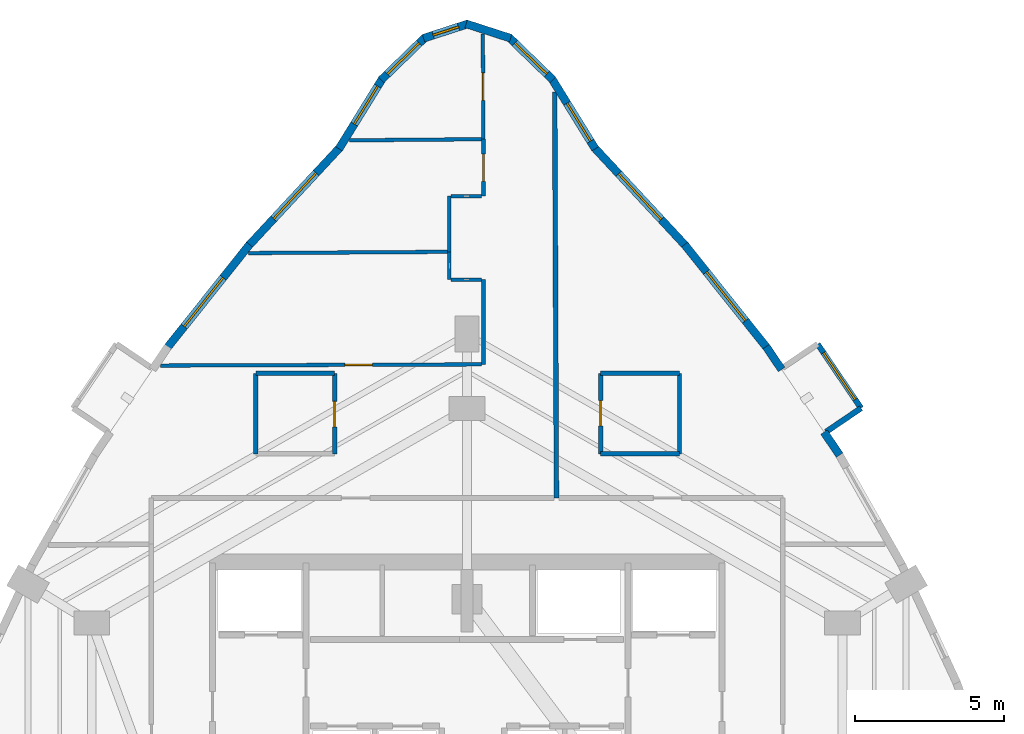
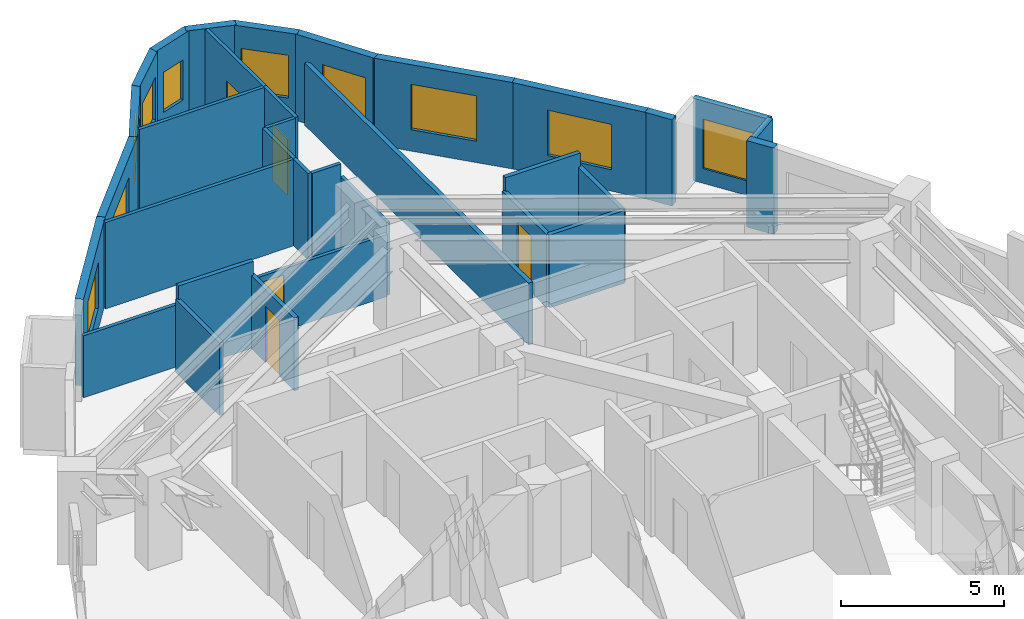
# One storey, part 9 of 11: 32 walls, 10 windows, 5 doors, 15 openings.
"""IFC4 building model written with IfcOpenShell, lengths in metres."""

from ifc_helpers import new_model, si_unit, direction, frame, frame_2d, origin, place, context, subcontext, project, spatial, rectangle, extrude, material, layer, layer_set, type_object, element, fill, save


model = new_model("IFC4")

# Units and contexts
model_context = context("Model", 3, precision=1e-05, world=origin(), true_north=direction((0.0, 1.0)))
body_context = subcontext(model_context, "Body", "Model", "MODEL_VIEW")
ifc_project = project(units=[si_unit("LENGTHUNIT", "METRE"), si_unit("AREAUNIT", "SQUARE_METRE"), si_unit("VOLUMEUNIT", "CUBIC_METRE"), si_unit("PLANEANGLEUNIT", "RADIAN"), si_unit("MASSUNIT", "GRAM", prefix="KILO")], contexts=[model_context])

# Site, building, storey
site_placement = place(None, origin())
site = spatial("IfcSite", under=ifc_project, at=site_placement, CompositionType="ELEMENT")
building_placement = place(site_placement, origin())
building = spatial("IfcBuilding", under=site, at=building_placement, Name="Miruveldt Soraemaru", CompositionType="ELEMENT")
storey_placement = place(building_placement, frame((0.0, 0.0, 152.89990234375)))
storey = spatial("IfcBuildingStorey", under=building, at=storey_placement, Name="L42", CompositionType="ELEMENT", Elevation=152.89990234375)

# Wall
ifc_material_1 = material(Name="White powder-coated aluminium EN AW-6060 T6", Category="aluminium")
ifc_layer_1 = layer(ifc_material_1, 0.18994140625, Name="White powder-coated aluminium EN AW-6060 T6", Category="aluminium")
ifc_layer_set_1 = layer_set([ifc_layer_1], Name="White powder-coated aluminium EN AW-6060 T6")
wall_type_1 = type_object("IfcWallType", Name="WALL-BAY-ALU190", PredefinedType="SOLIDWALL", material=ifc_layer_set_1)
wall_1_placement = place(storey_placement, frame((56.046875, 56.81591796875, 0.0), z_axis=(0.0, 0.0, 1.0), x_axis=(0.827995667279, 0.560734495966, 0.0)))
element("IfcWall", 1, at=wall_1_placement, inside=storey, type_object=wall_type_1, Name="L42 Bay Window Side Cheek 3L", PredefinedType="SOLIDWALL", context=body_context, shape_type="SweptSolid", body=[
    extrude(rectangle(XDim=1.425048828125, YDim=0.18994140625, at=frame_2d((0.71240234375, 0.0))), origin(), (0.0, 0.0, 1.0), 3.085205078125),
])

# Wall, opening, window
wall_2_placement = place(storey_placement, frame((57.226806640625, 57.614990234375, 0.0), z_axis=(0.0, 0.0, 1.0), x_axis=(-0.560860602504, 0.827910251512, 0.0)))
wall_2 = element("IfcWall", 2, at=wall_2_placement, inside=storey, type_object=wall_type_1, Name="L42 Bay Window Front Frame 3", PredefinedType="SOLIDWALL", context=body_context, shape_type="SweptSolid", body=[
    extrude(rectangle(XDim=2.60009765625, YDim=0.18994140625, at=frame_2d((1.300048828125, 0.0))), origin(), (0.0, 0.0, 1.0), 3.085205078125),
])
opening_1_placement = place(wall_2_placement, frame((0.35009765625, 0.0, 0.550048828125)))
opening_1 = element("IfcOpeningElement", 3, at=opening_1_placement, cuts=wall_2, Name="Opening WN-6", PredefinedType="OPENING", context=body_context, shape_type="SweptSolid", body=[
    extrude(rectangle(XDim=1.89990234375, YDim=1.85009765625, at=frame_2d((0.949951171875, 0.925048828125))), frame((0.0, 0.10498046875, 0.0), z_axis=(0.0, -1.0, 0.0), x_axis=(1.0, 0.0, 0.0)), (0.0, 0.0, 1.0), 0.2099609375),
])
ifc_material_2 = material(Name="Triple low-e insulated glazing", Category="glass")
window_type_1 = type_object("IfcWindowType", Name="WIN-BAYW-1900x1850", PartitioningType="SINGLE_PANEL", PredefinedType="WINDOW", material=ifc_material_2)
window_1_placement = place(opening_1_placement, origin())
window_1 = element("IfcWindow", 4, at=window_1_placement, inside=storey, type_object=window_type_1, Name="L42 Projecting Bay Window 3", OverallHeight=1.85009765625, OverallWidth=1.89990234375, PartitioningType="SINGLE_PANEL", PredefinedType="WINDOW", context=body_context, shape_type="SweptSolid", body=[
    extrude(rectangle(XDim=1.89990234375, YDim=1.85009765625, at=frame_2d((0.949951171875, 0.925048828125))), frame((0.0, 0.030029296875, 0.0), z_axis=(0.0, -1.0, 0.0), x_axis=(1.0, 0.0, 0.0)), (0.0, 0.0, 1.0), 0.06005859375),
])
fill(opening_1, window_1)

ifc_material_3 = material(Name="Precast concrete C45/55 (45 MPa)", Category="concrete")
ifc_layer_2 = layer(ifc_material_3, 0.27001953125, Name="Precast concrete C45/55 (45 MPa)", Category="concrete")
ifc_layer_set_2 = layer_set([ifc_layer_2], Name="Precast concrete C45/55 (45 MPa)")
wall_type_2 = type_object("IfcWallType", Name="WALL-EXT-PC270", PredefinedType="SOLIDWALL", material=ifc_layer_set_2)
wall_3_placement = place(storey_placement, frame((48.302490234375, 66.3212890625, 0.0), z_axis=(0.0, 0.0, 1.0), x_axis=(-0.526052747908, 0.850451942451, 0.0)))
wall_3 = element("IfcWall", 5, at=wall_3_placement, inside=storey, type_object=wall_type_2, Name="L42 Precast Concrete Facade Wall 1", PredefinedType="SOLIDWALL", context=body_context, shape_type="SweptSolid", body=[
    extrude(rectangle(XDim=2.78466796875, YDim=0.27001953125, at=frame_2d((1.392333984375, 0.0))), origin(), (0.0, 0.0, 1.0), 3.235107421875),
])
opening_2_placement = place(wall_3_placement, frame((0.302001953125, 0.0, 0.800048828125)))
opening_2 = element("IfcOpeningElement", 6, at=opening_2_placement, cuts=wall_3, Name="Opening WN-3", PredefinedType="OPENING", context=body_context, shape_type="SweptSolid", body=[
    extrude(rectangle(XDim=1.5, YDim=1.60009765625, at=frame_2d((0.75, 0.800048828125))), frame((0.0, 0.14501953125, 0.0), z_axis=(0.0, -1.0, 0.0), x_axis=(1.0, 0.0, 0.0)), (0.0, 0.0, 1.0), 0.2900390625),
])
window_type_2 = type_object("IfcWindowType", Name="WIN-PUNCH-1500x1600", PartitioningType="SINGLE_PANEL", PredefinedType="WINDOW", material=ifc_material_2)
window_2_placement = place(opening_2_placement, origin())
window_2 = element("IfcWindow", 7, at=window_2_placement, inside=storey, type_object=window_type_2, Name="L42 Punched Triple-Glazed Window 01.1", OverallHeight=1.60009765625, OverallWidth=1.5, PartitioningType="SINGLE_PANEL", PredefinedType="WINDOW", context=body_context, shape_type="SweptSolid", body=[
    extrude(rectangle(XDim=1.5, YDim=1.60009765625, at=frame_2d((0.75, 0.800048828125))), frame((0.0, 0.030029296875, 0.0), z_axis=(0.0, -1.0, 0.0), x_axis=(1.0, 0.0, 0.0)), (0.0, 0.0, 1.0), 0.06005859375),
])
fill(opening_2, window_2)

wall_4_placement = place(storey_placement, frame((46.881103515625, 68.63525390625, 0.0), z_axis=(0.0, 0.0, 1.0), x_axis=(-0.717812415939, 0.696236551413, 0.0)))
wall_4 = element("IfcWall", 8, at=wall_4_placement, inside=storey, type_object=wall_type_2, Name="L42 Precast Concrete Facade Wall 2", PredefinedType="SOLIDWALL", context=body_context, shape_type="SweptSolid", body=[
    extrude(rectangle(XDim=2.059326171875, YDim=0.27001953125, at=frame_2d((1.02978515625, 0.0))), origin(), (0.0, 0.0, 1.0), 3.235107421875),
])
opening_3_placement = place(wall_4_placement, frame((0.280029296875, 0.0, 0.800048828125)))
opening_3 = element("IfcOpeningElement", 9, at=opening_3_placement, cuts=wall_4, Name="Opening WN-3", PredefinedType="OPENING", context=body_context, shape_type="SweptSolid", body=[
    extrude(rectangle(XDim=1.5, YDim=1.60009765625, at=frame_2d((0.75, 0.800048828125))), frame((0.0, 0.14501953125, 0.0), z_axis=(0.0, -1.0, 0.0), x_axis=(1.0, 0.0, 0.0)), (0.0, 0.0, 1.0), 0.2900390625),
])
window_3_placement = place(opening_3_placement, origin())
window_3 = element("IfcWindow", 10, at=window_3_placement, inside=storey, type_object=window_type_2, Name="L42 Punched Triple-Glazed Window 02.1", OverallHeight=1.60009765625, OverallWidth=1.5, PartitioningType="SINGLE_PANEL", PredefinedType="WINDOW", context=body_context, shape_type="SweptSolid", body=[
    extrude(rectangle(XDim=1.5, YDim=1.60009765625, at=frame_2d((0.75, 0.800048828125))), frame((0.0, 0.030029296875, 0.0), z_axis=(0.0, -1.0, 0.0), x_axis=(1.0, 0.0, 0.0)), (0.0, 0.0, 1.0), 0.06005859375),
])
fill(opening_3, window_3)

# Wall
wall_5_placement = place(storey_placement, frame((45.461181640625, 70.033935546875, 0.0), z_axis=(0.0, 0.0, 1.0), x_axis=(-0.951504756684, 0.307634032589, 0.0)))
element("IfcWall", 11, at=wall_5_placement, inside=storey, type_object=wall_type_2, Name="L42 Precast Concrete Facade Wall 3", PredefinedType="SOLIDWALL", context=body_context, shape_type="SweptSolid", body=[
    extrude(rectangle(XDim=1.570556640625, YDim=0.27001953125, at=frame_2d((0.78515625, 0.0))), origin(), (0.0, 0.0, 1.0), 3.235107421875),
])

# Wall, opening, window
wall_6_placement = place(storey_placement, frame((44.033203125, 70.51708984375, 0.0), z_axis=(0.0, 0.0, 1.0), x_axis=(-0.951504756684, -0.307634032589, 0.0)))
wall_6 = element("IfcWall", 12, at=wall_6_placement, inside=storey, type_object=wall_type_2, Name="L42 Precast Concrete Facade Wall 4", PredefinedType="SOLIDWALL", context=body_context, shape_type="SweptSolid", body=[
    extrude(rectangle(XDim=1.570556640625, YDim=0.27001953125, at=frame_2d((0.78515625, 0.0))), origin(), (0.0, 0.0, 1.0), 3.235107421875),
])
opening_4_placement = place(wall_6_placement, frame((0.3349609375, 0.0, 0.780029296875)))
opening_4 = element("IfcOpeningElement", 13, at=opening_4_placement, cuts=wall_6, Name="Opening WN-7", PredefinedType="OPENING", context=body_context, shape_type="SweptSolid", body=[
    extrude(rectangle(XDim=0.89990234375, YDim=1.5, at=frame_2d((0.449951171875, 0.75))), frame((0.0, 0.14501953125, 0.0), z_axis=(0.0, -1.0, 0.0), x_axis=(1.0, 0.0, 0.0)), (0.0, 0.0, 1.0), 0.2900390625),
])
window_type_3 = type_object("IfcWindowType", Name="WIN-PUNCH-900x1500", PartitioningType="SINGLE_PANEL", PredefinedType="WINDOW", material=ifc_material_2)
window_4_placement = place(opening_4_placement, origin())
window_4 = element("IfcWindow", 14, at=window_4_placement, inside=storey, type_object=window_type_3, Name="L42 Punched Triple-Glazed Window 04.1", OverallHeight=1.5, OverallWidth=0.89990234375, PartitioningType="SINGLE_PANEL", PredefinedType="WINDOW", context=body_context, shape_type="SweptSolid", body=[
    extrude(rectangle(XDim=0.89990234375, YDim=1.5, at=frame_2d((0.449951171875, 0.75))), frame((0.0, 0.030029296875, 0.0), z_axis=(0.0, -1.0, 0.0), x_axis=(1.0, 0.0, 0.0)), (0.0, 0.0, 1.0), 0.06005859375),
])
fill(opening_4, window_4)

wall_7_placement = place(storey_placement, frame((42.59716796875, 70.069091796875, 0.0), z_axis=(0.0, 0.0, 1.0), x_axis=(-0.717812415939, -0.696236551413, 0.0)))
wall_7 = element("IfcWall", 15, at=wall_7_placement, inside=storey, type_object=wall_type_2, Name="L42 Precast Concrete Facade Wall 5", PredefinedType="SOLIDWALL", context=body_context, shape_type="SweptSolid", body=[
    extrude(rectangle(XDim=2.059326171875, YDim=0.27001953125, at=frame_2d((1.02978515625, 0.0))), origin(), (0.0, 0.0, 1.0), 3.235107421875),
])
opening_5_placement = place(wall_7_placement, frame((0.280029296875, 0.0, 0.800048828125)))
opening_5 = element("IfcOpeningElement", 16, at=opening_5_placement, cuts=wall_7, Name="Opening WN-3", PredefinedType="OPENING", context=body_context, shape_type="SweptSolid", body=[
    extrude(rectangle(XDim=1.5, YDim=1.60009765625, at=frame_2d((0.75, 0.800048828125))), frame((0.0, 0.14501953125, 0.0), z_axis=(0.0, -1.0, 0.0), x_axis=(1.0, 0.0, 0.0)), (0.0, 0.0, 1.0), 0.2900390625),
])
window_5_placement = place(opening_5_placement, origin())
window_5 = element("IfcWindow", 17, at=window_5_placement, inside=storey, type_object=window_type_2, Name="L42 Punched Triple-Glazed Window 05.1", OverallHeight=1.60009765625, OverallWidth=1.5, PartitioningType="SINGLE_PANEL", PredefinedType="WINDOW", context=body_context, shape_type="SweptSolid", body=[
    extrude(rectangle(XDim=1.5, YDim=1.60009765625, at=frame_2d((0.75, 0.800048828125))), frame((0.0, 0.030029296875, 0.0), z_axis=(0.0, -1.0, 0.0), x_axis=(1.0, 0.0, 0.0)), (0.0, 0.0, 1.0), 0.06005859375),
])
fill(opening_5, window_5)

wall_8_placement = place(storey_placement, frame((41.162353515625, 68.689453125, 0.0), z_axis=(0.0, 0.0, 1.0), x_axis=(-0.526052747908, -0.850451942451, 0.0)))
wall_8 = element("IfcWall", 18, at=wall_8_placement, inside=storey, type_object=wall_type_2, Name="L42 Precast Concrete Facade Wall 6", PredefinedType="SOLIDWALL", context=body_context, shape_type="SweptSolid", body=[
    extrude(rectangle(XDim=2.78466796875, YDim=0.27001953125, at=frame_2d((1.392333984375, 0.0))), origin(), (0.0, 0.0, 1.0), 3.235107421875),
])
opening_6_placement = place(wall_8_placement, frame((0.30810546875, 0.0, 0.800048828125)))
opening_6 = element("IfcOpeningElement", 19, at=opening_6_placement, cuts=wall_8, Name="Opening WN-3", PredefinedType="OPENING", context=body_context, shape_type="SweptSolid", body=[
    extrude(rectangle(XDim=1.5, YDim=1.60009765625, at=frame_2d((0.75, 0.800048828125))), frame((0.0, 0.14501953125, 0.0), z_axis=(0.0, -1.0, 0.0), x_axis=(1.0, 0.0, 0.0)), (0.0, 0.0, 1.0), 0.2900390625),
])
window_6_placement = place(opening_6_placement, origin())
window_6 = element("IfcWindow", 20, at=window_6_placement, inside=storey, type_object=window_type_2, Name="L42 Punched Triple-Glazed Window 06.1", OverallHeight=1.60009765625, OverallWidth=1.5, PartitioningType="SINGLE_PANEL", PredefinedType="WINDOW", context=body_context, shape_type="SweptSolid", body=[
    extrude(rectangle(XDim=1.5, YDim=1.60009765625, at=frame_2d((0.75, 0.800048828125))), frame((0.0, 0.030029296875, 0.0), z_axis=(0.0, -1.0, 0.0), x_axis=(1.0, 0.0, 0.0)), (0.0, 0.0, 1.0), 0.06005859375),
])
fill(opening_6, window_6)

wall_9_placement = place(storey_placement, frame((39.73974609375, 66.376708984375, 0.0), z_axis=(0.0, 0.0, 1.0), x_axis=(-0.680874338987, -0.732400255673, 0.0)))
wall_9 = element("IfcWall", 21, at=wall_9_placement, inside=storey, type_object=wall_type_2, Name="L42 Precast Concrete Facade Wall 7", PredefinedType="SOLIDWALL", context=body_context, shape_type="SweptSolid", body=[
    extrude(rectangle(XDim=4.534423828125, YDim=0.27001953125, at=frame_2d((2.26708984375, 0.0))), origin(), (0.0, 0.0, 1.0), 3.235107421875),
])
opening_7_placement = place(wall_9_placement, frame((1.180908203125, 0.0, 0.800048828125)))
opening_7 = element("IfcOpeningElement", 22, at=opening_7_placement, cuts=wall_9, Name="Opening WN-1", PredefinedType="OPENING", context=body_context, shape_type="SweptSolid", body=[
    extrude(rectangle(XDim=2.10009765625, YDim=1.699951171875, at=frame_2d((1.050048828125, 0.85009765625))), frame((0.0, 0.14501953125, 0.0), z_axis=(0.0, -1.0, 0.0), x_axis=(1.0, 0.0, 0.0)), (0.0, 0.0, 1.0), 0.2900390625),
])
window_type_4 = type_object("IfcWindowType", Name="WIN-PUNCH-2100x1700", PartitioningType="SINGLE_PANEL", PredefinedType="WINDOW", material=ifc_material_2)
window_7_placement = place(opening_7_placement, origin())
window_7 = element("IfcWindow", 23, at=window_7_placement, inside=storey, type_object=window_type_4, Name="L42 Punched Triple-Glazed Window 07.1", OverallHeight=1.699951171875, OverallWidth=2.10009765625, PartitioningType="SINGLE_PANEL", PredefinedType="WINDOW", context=body_context, shape_type="SweptSolid", body=[
    extrude(rectangle(XDim=2.10009765625, YDim=1.699951171875, at=frame_2d((1.050048828125, 0.85009765625))), frame((0.0, 0.030029296875, 0.0), z_axis=(0.0, -1.0, 0.0), x_axis=(1.0, 0.0, 0.0)), (0.0, 0.0, 1.0), 0.06005859375),
])
fill(opening_7, window_7)

wall_10_placement = place(storey_placement, frame((36.697998046875, 63.108642578125, 0.0), z_axis=(0.0, 0.0, 1.0), x_axis=(-0.623611643965, -0.781734301097, 0.0)))
wall_10 = element("IfcWall", 24, at=wall_10_placement, inside=storey, type_object=wall_type_2, Name="L42 Precast Concrete Facade Wall 8", PredefinedType="SOLIDWALL", context=body_context, shape_type="SweptSolid", body=[
    extrude(rectangle(XDim=4.454345703125, YDim=0.27001953125, at=frame_2d((2.22705078125, 0.0))), origin(), (0.0, 0.0, 1.0), 3.235107421875),
])
opening_8_placement = place(wall_10_placement, frame((1.422119140625, 0.0, 0.800048828125)))
opening_8 = element("IfcOpeningElement", 25, at=opening_8_placement, cuts=wall_10, Name="Opening WN-1", PredefinedType="OPENING", context=body_context, shape_type="SweptSolid", body=[
    extrude(rectangle(XDim=2.10009765625, YDim=1.699951171875, at=frame_2d((1.050048828125, 0.85009765625))), frame((0.0, 0.14501953125, 0.0), z_axis=(0.0, -1.0, 0.0), x_axis=(1.0, 0.0, 0.0)), (0.0, 0.0, 1.0), 0.2900390625),
])
window_8_placement = place(opening_8_placement, origin())
window_8 = element("IfcWindow", 26, at=window_8_placement, inside=storey, type_object=window_type_4, Name="L42 Punched Triple-Glazed Window 08.1", OverallHeight=1.699951171875, OverallWidth=2.10009765625, PartitioningType="SINGLE_PANEL", PredefinedType="WINDOW", context=body_context, shape_type="SweptSolid", body=[
    extrude(rectangle(XDim=2.10009765625, YDim=1.699951171875, at=frame_2d((1.050048828125, 0.85009765625))), frame((0.0, 0.030029296875, 0.0), z_axis=(0.0, -1.0, 0.0), x_axis=(1.0, 0.0, 0.0)), (0.0, 0.0, 1.0), 0.06005859375),
])
fill(opening_8, window_8)

# Walls
for number, where, z_axis, x_axis, name in (
    (27, (56.506103515625, 56.039794921875, 0.0), (0.0, 0.0, 1.0), (-0.56074365682, 0.8279894633, 0.0), "L42 Precast Pier Wall 40A"),
    (28, (54.56005859375, 58.912841796875, 0.0), (0.0, 0.0, 1.0), (-0.56074365682, 0.8279894633, 0.0), "L42 Precast Pier Wall 40B"),
):
    element("IfcWall", number, at=place(storey_placement, frame(where, z_axis=z_axis, x_axis=x_axis)), inside=storey, type_object=wall_type_2, Name=name, PredefinedType="SOLIDWALL", context=body_context, shape_type="SweptSolid", body=[
        extrude(rectangle(XDim=0.929931640625, YDim=0.27001953125, at=frame_2d((0.46484375, 0.0))), origin(), (0.0, 0.0, 1.0), 3.235107421875),
    ])

# Wall, opening, window
wall_11_placement = place(storey_placement, frame((54.079833984375, 59.62646484375, 0.0), z_axis=(0.0, 0.0, 1.0), x_axis=(-0.623611643965, 0.781734301097, 0.0)))
wall_11 = element("IfcWall", 29, at=wall_11_placement, inside=storey, type_object=wall_type_2, Name="L42 Precast Concrete Facade Wall 41", PredefinedType="SOLIDWALL", context=body_context, shape_type="SweptSolid", body=[
    extrude(rectangle(XDim=4.454345703125, YDim=0.27001953125, at=frame_2d((2.22705078125, 0.0))), origin(), (0.0, 0.0, 1.0), 3.235107421875),
])
opening_9_placement = place(wall_11_placement, frame((1.177001953125, 0.0, 0.800048828125)))
opening_9 = element("IfcOpeningElement", 30, at=opening_9_placement, cuts=wall_11, Name="Opening WN-1", PredefinedType="OPENING", context=body_context, shape_type="SweptSolid", body=[
    extrude(rectangle(XDim=2.10009765625, YDim=1.699951171875, at=frame_2d((1.050048828125, 0.85009765625))), frame((0.0, 0.14501953125, 0.0), z_axis=(0.0, -1.0, 0.0), x_axis=(1.0, 0.0, 0.0)), (0.0, 0.0, 1.0), 0.2900390625),
])
window_9_placement = place(opening_9_placement, origin())
window_9 = element("IfcWindow", 31, at=window_9_placement, inside=storey, type_object=window_type_4, Name="L42 Punched Triple-Glazed Window 41.1", OverallHeight=1.699951171875, OverallWidth=2.10009765625, PartitioningType="SINGLE_PANEL", PredefinedType="WINDOW", context=body_context, shape_type="SweptSolid", body=[
    extrude(rectangle(XDim=2.10009765625, YDim=1.699951171875, at=frame_2d((1.050048828125, 0.85009765625))), frame((0.0, 0.030029296875, 0.0), z_axis=(0.0, -1.0, 0.0), x_axis=(1.0, 0.0, 0.0)), (0.0, 0.0, 1.0), 0.06005859375),
])
fill(opening_9, window_9)

wall_12_placement = place(storey_placement, frame((51.34765625, 63.0556640625, 0.0), z_axis=(0.0, 0.0, 1.0), x_axis=(-0.680874338987, 0.732400255673, 0.0)))
wall_12 = element("IfcWall", 32, at=wall_12_placement, inside=storey, type_object=wall_type_2, Name="L42 Precast Concrete Facade Wall 42", PredefinedType="SOLIDWALL", context=body_context, shape_type="SweptSolid", body=[
    extrude(rectangle(XDim=4.534423828125, YDim=0.27001953125, at=frame_2d((2.26708984375, 0.0))), origin(), (0.0, 0.0, 1.0), 3.235107421875),
])
opening_10_placement = place(wall_12_placement, frame((1.218017578125, 0.0, 0.800048828125)))
opening_10 = element("IfcOpeningElement", 33, at=opening_10_placement, cuts=wall_12, Name="Opening WN-1", PredefinedType="OPENING", context=body_context, shape_type="SweptSolid", body=[
    extrude(rectangle(XDim=2.10009765625, YDim=1.699951171875, at=frame_2d((1.050048828125, 0.85009765625))), frame((0.0, 0.14501953125, 0.0), z_axis=(0.0, -1.0, 0.0), x_axis=(1.0, 0.0, 0.0)), (0.0, 0.0, 1.0), 0.2900390625),
])
window_10_placement = place(opening_10_placement, origin())
window_10 = element("IfcWindow", 34, at=window_10_placement, inside=storey, type_object=window_type_4, Name="L42 Punched Triple-Glazed Window 42.1", OverallHeight=1.699951171875, OverallWidth=2.10009765625, PartitioningType="SINGLE_PANEL", PredefinedType="WINDOW", context=body_context, shape_type="SweptSolid", body=[
    extrude(rectangle(XDim=2.10009765625, YDim=1.699951171875, at=frame_2d((1.050048828125, 0.85009765625))), frame((0.0, 0.030029296875, 0.0), z_axis=(0.0, -1.0, 0.0), x_axis=(1.0, 0.0, 0.0)), (0.0, 0.0, 1.0), 0.06005859375),
])
fill(opening_10, window_10)

# Wall, opening, door
ifc_material_4 = material(Name="Gypsum plasterboard lining", Category="gypsum")
ifc_layer_3 = layer(ifc_material_4, 0.1201171875, Name="Gypsum plasterboard lining", Category="gypsum")
ifc_layer_set_3 = layer_set([ifc_layer_3], Name="Gypsum plasterboard lining")
wall_type_3 = type_object("IfcWallType", Name="WALL-INT-P120", PredefinedType="PARTITIONING", material=ifc_layer_set_3)
wall_13_placement = place(storey_placement, frame((44.489990234375, 59.083984375, 0.0), z_axis=(0.0, 0.0, 1.0), x_axis=(-0.999993433641, -0.003623903182, 0.0)))
wall_13 = element("IfcWall", 35, at=wall_13_placement, inside=storey, type_object=wall_type_3, Name="L42 Partition Wall 19", PredefinedType="PARTITIONING", context=body_context, shape_type="SweptSolid", body=[
    extrude(rectangle(XDim=10.779052734375, YDim=0.1201171875, at=frame_2d((5.3896484375, 0.0))), origin(), (0.0, 0.0, 1.0), 2.322998046875),
])
opening_11_placement = place(wall_13_placement, frame((3.669921875, 0.0, 0.0)))
opening_11 = element("IfcOpeningElement", 36, at=opening_11_placement, cuts=wall_13, Name="Opening D3A", PredefinedType="OPENING", context=body_context, shape_type="SweptSolid", body=[
    extrude(rectangle(XDim=0.919921875, YDim=2.10009765625, at=frame_2d((0.4599609375, 1.050048828125))), frame((0.0, 0.070068359375, 0.0), z_axis=(0.0, -1.0, 0.0), x_axis=(1.0, 0.0, 0.0)), (0.0, 0.0, 1.0), 0.14013671875),
])
ifc_material_5 = material(Name="Anodised aluminium EN AW-6063 T6", Category="aluminium")
door_type_1 = type_object("IfcDoorType", Name="DOOR-INT-920", OperationType="NOTDEFINED", PredefinedType="DOOR", material=ifc_material_5)
door_1_placement = place(opening_11_placement, origin())
door_1 = element("IfcDoor", 37, at=door_1_placement, inside=storey, type_object=door_type_1, Name="L42 Unit 4201 BD1 Door", OperationType="SINGLE_SWING_RIGHT", OverallHeight=2.10009765625, OverallWidth=0.919921875, PredefinedType="DOOR", context=body_context, shape_type="SweptSolid", body=[
    extrude(rectangle(XDim=0.919921875, YDim=2.10009765625, at=frame_2d((0.4599609375, 1.050048828125))), frame((0.0, 0.02490234375, 0.0), z_axis=(0.0, -1.0, 0.0), x_axis=(1.0, 0.0, 0.0)), (0.0, 0.0, 1.0), 0.050048828125),
])
fill(opening_11, door_1)

wall_14_placement = place(storey_placement, frame((44.529052734375, 70.177978515625, 0.0), z_axis=(0.0, 0.0, 1.0), x_axis=(0.005939531945, -0.999982360825, 0.0)))
wall_14 = element("IfcWall", 38, at=wall_14_placement, inside=storey, type_object=wall_type_3, Name="L42 Partition Wall 23", PredefinedType="PARTITIONING", context=body_context, shape_type="SweptSolid", body=[
    extrude(rectangle(XDim=3.534912109375, YDim=0.1201171875, at=frame_2d((1.767578125, 0.0))), origin(), (0.0, 0.0, 1.0), 3.235107421875),
])
opening_12_placement = place(wall_14_placement, frame((1.30810546875, 0.0, 0.0)))
opening_12 = element("IfcOpeningElement", 39, at=opening_12_placement, cuts=wall_14, Name="Opening D3A", PredefinedType="OPENING", context=body_context, shape_type="SweptSolid", body=[
    extrude(rectangle(XDim=0.919921875, YDim=2.10009765625, at=frame_2d((0.4599609375, 1.050048828125))), frame((0.0, 0.070068359375, 0.0), z_axis=(0.0, -1.0, 0.0), x_axis=(1.0, 0.0, 0.0)), (0.0, 0.0, 1.0), 0.14013671875),
])
door_2_placement = place(opening_12_placement, origin())
door_2 = element("IfcDoor", 40, at=door_2_placement, inside=storey, type_object=door_type_1, Name="L42 Unit 4201 EXT Door", OperationType="SINGLE_SWING_RIGHT", OverallHeight=2.10009765625, OverallWidth=0.919921875, PredefinedType="DOOR", context=body_context, shape_type="SweptSolid", body=[
    extrude(rectangle(XDim=0.919921875, YDim=2.10009765625, at=frame_2d((0.4599609375, 1.050048828125))), frame((0.0, 0.02490234375, 0.0), z_axis=(0.0, -1.0, 0.0), x_axis=(1.0, 0.0, 0.0)), (0.0, 0.0, 1.0), 0.050048828125),
])
fill(opening_12, door_2)

wall_15_placement = place(storey_placement, frame((44.550048828125, 66.64306640625, 0.0), z_axis=(0.0, 0.0, 1.0), x_axis=(0.0, -1.0, 0.0)))
wall_15 = element("IfcWall", 41, at=wall_15_placement, inside=storey, type_object=wall_type_3, Name="L42 Partition Wall 20", PredefinedType="PARTITIONING", context=body_context, shape_type="SweptSolid", body=[
    extrude(rectangle(XDim=1.9130859375, YDim=0.1201171875, at=frame_2d((0.95654296875, 0.0))), origin(), (0.0, 0.0, 1.0), 3.235107421875),
])
opening_13_placement = place(wall_15_placement, frame((0.49609375, 0.0, 0.0)))
opening_13 = element("IfcOpeningElement", 42, at=opening_13_placement, cuts=wall_15, Name="Opening D3A", PredefinedType="OPENING", context=body_context, shape_type="SweptSolid", body=[
    extrude(rectangle(XDim=0.919921875, YDim=2.10009765625, at=frame_2d((0.4599609375, 1.050048828125))), frame((0.0, 0.070068359375, 0.0), z_axis=(0.0, -1.0, 0.0), x_axis=(1.0, 0.0, 0.0)), (0.0, 0.0, 1.0), 0.14013671875),
])
door_3_placement = place(opening_13_placement, origin())
door_3 = element("IfcDoor", 43, at=door_3_placement, inside=storey, type_object=door_type_1, Name="L42 Unit 4201 BD2 Door", OperationType="SINGLE_SWING_LEFT", OverallHeight=2.10009765625, OverallWidth=0.919921875, PredefinedType="DOOR", context=body_context, shape_type="SweptSolid", body=[
    extrude(rectangle(XDim=0.919921875, YDim=2.10009765625, at=frame_2d((0.4599609375, 1.050048828125))), frame((0.0, 0.02490234375, 0.0), z_axis=(0.0, -1.0, 0.0), x_axis=(1.0, 0.0, 0.0)), (0.0, 0.0, 1.0), 0.050048828125),
])
fill(opening_13, door_3)

# Walls
wall_16_placement = place(storey_placement, frame((43.346923828125, 62.863037109375, 0.0), z_axis=(0.0, 0.0, 1.0), x_axis=(-0.999979361839, -0.006424631952, 0.0)))
element("IfcWall", 44, at=wall_16_placement, inside=storey, type_object=wall_type_3, Name="L42 Partition Wall 26", PredefinedType="PARTITIONING", context=body_context, shape_type="SweptSolid", body=[
    extrude(rectangle(XDim=6.688232421875, YDim=0.1201171875, at=frame_2d((3.34423828125, 0.0))), origin(), (0.0, 0.0, 1.0), 3.235107421875),
])
wall_17_placement = place(storey_placement, frame((44.489990234375, 66.64306640625, 0.0), z_axis=(0.0, 0.0, 1.0), x_axis=(-0.999965073099, -0.00835778572, 0.0)))
element("IfcWall", 45, at=wall_17_placement, inside=storey, type_object=wall_type_3, Name="L42 Partition Wall 27", PredefinedType="PARTITIONING", context=body_context, shape_type="SweptSolid", body=[
    extrude(rectangle(XDim=4.440185546875, YDim=0.1201171875, at=frame_2d((2.22021484375, 0.0))), origin(), (0.0, 0.0, 1.0), 3.235107421875),
])
wall_18_placement = place(storey_placement, frame((44.550048828125, 61.929931640625, 0.0), z_axis=(0.0, 0.0, 1.0), x_axis=(0.0, -1.0, 0.0)))
element("IfcWall", 46, at=wall_18_placement, inside=storey, type_object=wall_type_3, Name="L42 Partition Wall 18", PredefinedType="PARTITIONING", context=body_context, shape_type="SweptSolid", body=[
    extrude(rectangle(XDim=2.845947265625, YDim=0.1201171875, at=frame_2d((1.4228515625, 0.0))), origin(), (0.0, 0.0, 1.0), 2.72314453125),
])
wall_19_placement = place(storey_placement, frame((43.406982421875, 64.72998046875, 0.0), z_axis=(0.0, 0.0, 1.0), x_axis=(0.0, -1.0, 0.0)))
element("IfcWall", 47, at=wall_19_placement, inside=storey, type_object=wall_type_3, Name="L42 Partition Wall 22", PredefinedType="PARTITIONING", context=body_context, shape_type="SweptSolid", body=[
    extrude(rectangle(XDim=1.866943359375, YDim=0.1201171875, at=frame_2d((0.93359375, 0.0))), origin(), (0.0, 0.0, 1.0), 3.235107421875),
])
for number, where, z_axis, x_axis, name in (
    (48, (43.467041015625, 61.929931640625, 0.0), (0.0, 0.0, 1.0), (1.0, 0.0, 0.0), "L42 Partition Wall 17"),
    (49, (44.489990234375, 64.72998046875, 0.0), (0.0, 0.0, 1.0), (-1.0, 0.0, 0.0), "L42 Partition Wall 21"),
):
    element("IfcWall", number, at=place(storey_placement, frame(where, z_axis=z_axis, x_axis=x_axis)), inside=storey, type_object=wall_type_3, Name=name, PredefinedType="PARTITIONING", context=body_context, shape_type="SweptSolid", body=[
        extrude(rectangle(XDim=1.02294921875, YDim=0.1201171875, at=frame_2d((0.511474609375, 0.0))), origin(), (0.0, 0.0, 1.0), 3.235107421875),
    ])
wall_20_placement = place(storey_placement, frame((43.406982421875, 62.863037109375, 0.0), z_axis=(0.0, 0.0, 1.0), x_axis=(0.0, -1.0, 0.0)))
element("IfcWall", 50, at=wall_20_placement, inside=storey, type_object=wall_type_3, Name="L42 Partition Wall 16", PredefinedType="PARTITIONING", context=body_context, shape_type="SweptSolid", body=[
    extrude(rectangle(XDim=0.93310546875, YDim=0.1201171875, at=frame_2d((0.466552734375, 0.0))), origin(), (0.0, 0.0, 1.0), 3.235107421875),
])

# Wall, opening, door
ifc_layer_4 = layer(ifc_material_4, 0.14990234375, Name="Gypsum plasterboard lining", Category="gypsum")
ifc_layer_set_4 = layer_set([ifc_layer_4], Name="Gypsum plasterboard lining")
wall_type_4 = type_object("IfcWallType", Name="WALL-INT-PLUMB", PredefinedType="PLUMBINGWALL", material=ifc_layer_set_4)
wall_21_placement = place(storey_placement, frame((39.556884765625, 56.080078125, 0.0), z_axis=(0.0, 0.0, 1.0), x_axis=(0.0, 1.0, 0.0)))
wall_21 = element("IfcWall", 51, at=wall_21_placement, inside=storey, type_object=wall_type_4, Name="L42 Partition Wall 12", PredefinedType="PLUMBINGWALL", context=body_context, shape_type="SweptSolid", body=[
    extrude(rectangle(XDim=2.699951171875, YDim=0.14990234375, at=frame_2d((1.35009765625, 0.0))), origin(), (0.0, 0.0, 1.0), 2.72314453125),
])
opening_14_placement = place(wall_21_placement, frame((0.909912109375, 0.0, 0.0)))
opening_14 = element("IfcOpeningElement", 52, at=opening_14_placement, cuts=wall_21, Name="Opening FD3", PredefinedType="OPENING", context=body_context, shape_type="SweptSolid", body=[
    extrude(rectangle(XDim=0.85009765625, YDim=2.10009765625, at=frame_2d((0.425048828125, 1.050048828125))), frame((0.0, 0.0849609375, 0.0), z_axis=(0.0, -1.0, 0.0), x_axis=(1.0, 0.0, 0.0)), (0.0, 0.0, 1.0), 0.169921875),
])
door_type_2 = type_object("IfcDoorType", Name="DOOR-FD3-850", OperationType="NOTDEFINED", PredefinedType="DOOR", material=ifc_material_5)
door_4_placement = place(opening_14_placement, origin())
door_4 = element("IfcDoor", 53, at=door_4_placement, inside=storey, type_object=door_type_2, Name="L42 Unit 4201 BTH Door", OperationType="SINGLE_SWING_LEFT", OverallHeight=2.10009765625, OverallWidth=0.85009765625, PredefinedType="DOOR", context=body_context, shape_type="SweptSolid", body=[
    extrude(rectangle(XDim=0.85009765625, YDim=2.10009765625, at=frame_2d((0.425048828125, 1.050048828125))), frame((0.0, 0.02490234375, 0.0), z_axis=(0.0, -1.0, 0.0), x_axis=(1.0, 0.0, 0.0)), (0.0, 0.0, 1.0), 0.050048828125),
])
fill(opening_14, door_4)

wall_22_placement = place(storey_placement, frame((48.48095703125, 58.780029296875, 0.0), z_axis=(0.0, 0.0, 1.0), x_axis=(0.0, -1.0, 0.0)))
wall_22 = element("IfcWall", 54, at=wall_22_placement, inside=storey, type_object=wall_type_4, Name="L42 Partition Wall 29", PredefinedType="PLUMBINGWALL", context=body_context, shape_type="SweptSolid", body=[
    extrude(rectangle(XDim=2.699951171875, YDim=0.14990234375, at=frame_2d((1.35009765625, 0.0))), origin(), (0.0, 0.0, 1.0), 2.72314453125),
])
opening_15_placement = place(wall_22_placement, frame((0.909912109375, 0.0, 0.0)))
opening_15 = element("IfcOpeningElement", 55, at=opening_15_placement, cuts=wall_22, Name="Opening FD3", PredefinedType="OPENING", context=body_context, shape_type="SweptSolid", body=[
    extrude(rectangle(XDim=0.85009765625, YDim=2.10009765625, at=frame_2d((0.425048828125, 1.050048828125))), frame((0.0, 0.0849609375, 0.0), z_axis=(0.0, -1.0, 0.0), x_axis=(1.0, 0.0, 0.0)), (0.0, 0.0, 1.0), 0.169921875),
])
door_5_placement = place(opening_15_placement, origin())
door_5 = element("IfcDoor", 56, at=door_5_placement, inside=storey, type_object=door_type_2, Name="L42 Unit CL02 BTH Door", OperationType="SINGLE_SWING_RIGHT", OverallHeight=2.10009765625, OverallWidth=0.85009765625, PredefinedType="DOOR", context=body_context, shape_type="SweptSolid", body=[
    extrude(rectangle(XDim=0.85009765625, YDim=2.10009765625, at=frame_2d((0.425048828125, 1.050048828125))), frame((0.0, 0.02490234375, 0.0), z_axis=(0.0, -1.0, 0.0), x_axis=(1.0, 0.0, 0.0)), (0.0, 0.0, 1.0), 0.050048828125),
])
fill(opening_15, door_5)

# Walls
for number, where, z_axis, x_axis, name in (
    (57, (36.906982421875, 58.780029296875, 0.0), (0.0, 0.0, 1.0), (0.0, -1.0, 0.0), "L42 Partition Wall 14"),
    (58, (51.131103515625, 56.080078125, 0.0), (0.0, 0.0, 1.0), (0.0, 1.0, 0.0), "L42 Partition Wall 28"),
):
    element("IfcWall", number, at=place(storey_placement, frame(where, z_axis=z_axis, x_axis=x_axis)), inside=storey, type_object=wall_type_4, Name=name, PredefinedType="PLUMBINGWALL", context=body_context, shape_type="SweptSolid", body=[
        extrude(rectangle(XDim=2.699951171875, YDim=0.14990234375, at=frame_2d((1.35009765625, 0.0))), origin(), (0.0, 0.0, 1.0), 2.72314453125),
    ])
wall_23_placement = place(storey_placement, frame((39.556884765625, 58.780029296875, 0.0), z_axis=(0.0, 0.0, 1.0), x_axis=(-1.0, 0.0, 0.0)))
element("IfcWall", 59, at=wall_23_placement, inside=storey, type_object=wall_type_4, Name="L42 Partition Wall 13", PredefinedType="PLUMBINGWALL", context=body_context, shape_type="SweptSolid", body=[
    extrude(rectangle(XDim=2.64990234375, YDim=0.14990234375, at=frame_2d((1.324951171875, 0.0))), origin(), (0.0, 0.0, 1.0), 3.235107421875),
])
wall_24_placement = place(storey_placement, frame((48.48095703125, 56.080078125, 0.0), z_axis=(0.0, 0.0, 1.0), x_axis=(1.0, 0.0, 0.0)))
element("IfcWall", 60, at=wall_24_placement, inside=storey, type_object=wall_type_4, Name="L42 Partition Wall 30", PredefinedType="PLUMBINGWALL", context=body_context, shape_type="SweptSolid", body=[
    extrude(rectangle(XDim=2.650146484375, YDim=0.14990234375, at=frame_2d((1.3251953125, 0.0))), origin(), (0.0, 0.0, 1.0), 2.72314453125),
])
wall_25_placement = place(storey_placement, frame((51.131103515625, 58.780029296875, 0.0), z_axis=(0.0, 0.0, 1.0), x_axis=(-1.0, 0.0, 0.0)))
element("IfcWall", 61, at=wall_25_placement, inside=storey, type_object=wall_type_4, Name="L42 Partition Wall 60", PredefinedType="PLUMBINGWALL", context=body_context, shape_type="SweptSolid", body=[
    extrude(rectangle(XDim=2.650146484375, YDim=0.14990234375, at=frame_2d((1.3251953125, 0.0))), origin(), (0.0, 0.0, 1.0), 3.235107421875),
])
ifc_material_6 = material(Name="Concrete C40/50 (40 MPa)", Category="concrete")
ifc_layer_5 = layer(ifc_material_6, 0.159912109375, Name="Concrete C40/50 (40 MPa)", Category="concrete")
ifc_layer_set_5 = layer_set([ifc_layer_5], Name="Concrete C40/50 (40 MPa)")
wall_type_5 = type_object("IfcWallType", Name="WALL-INT-RC160", PredefinedType="SOLIDWALL", material=ifc_layer_set_5)
wall_26_placement = place(storey_placement, frame((47.0, 54.60302734375, 0.0), z_axis=(0.0, 0.0, 1.0), x_axis=(-0.004262367929, 0.999990916069, 0.0)))
element("IfcWall", 62, at=wall_26_placement, inside=storey, type_object=wall_type_5, Name="L42 Partition Wall 24", PredefinedType="SOLIDWALL", context=body_context, shape_type="SweptSolid", body=[
    extrude(rectangle(XDim=13.63232421875, YDim=0.159912109375, at=frame_2d((6.816162109375, 0.0))), origin(), (0.0, 0.0, 1.0), 2.322998046875),
])

save(model, "model.ifc")
